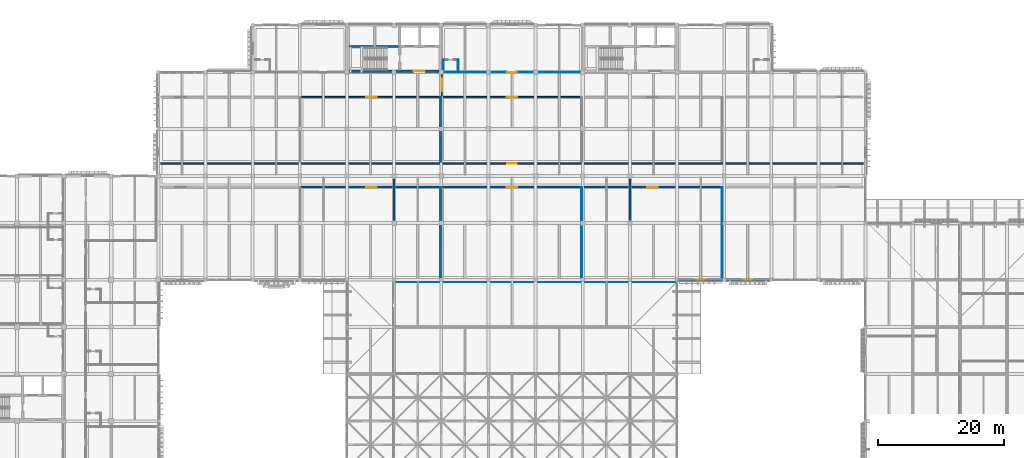
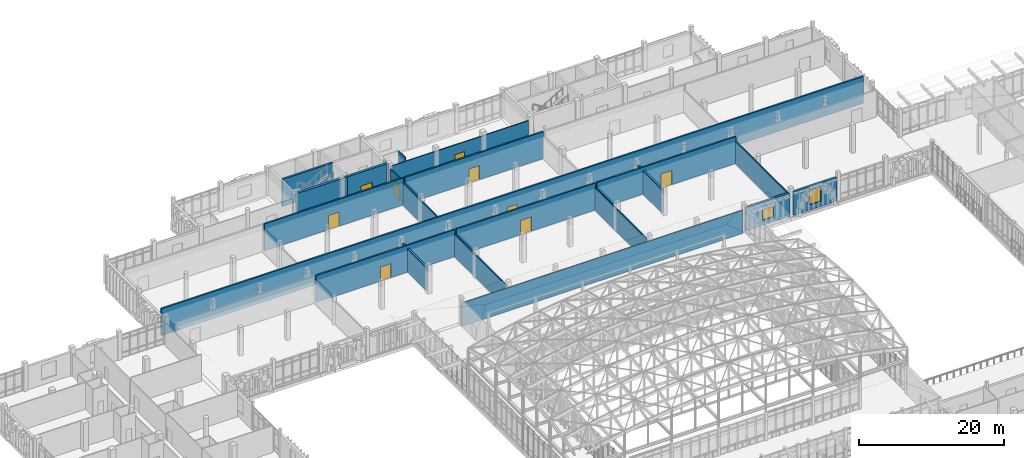
# One storey, part 105 of 131: 22 walls, 9 doors, 2 windows, 11 openings.
"""IFC4 building model written with IfcOpenShell, lengths in metres."""

from ifc_helpers import new_model, si_unit, direction, frame, frame_2d, origin, place, context, subcontext, project, spatial, rectangle, extrude, material, layer, layer_set, type_object, element, fill, save


model = new_model("IFC4")

# Units and contexts
model_context = context("Model", 3, precision=1e-05, world=origin(), true_north=direction((0.0, 1.0)))
body_context = subcontext(model_context, "Body", "Model", "MODEL_VIEW")
ifc_project = project(units=[si_unit("LENGTHUNIT", "METRE"), si_unit("AREAUNIT", "SQUARE_METRE"), si_unit("VOLUMEUNIT", "CUBIC_METRE"), si_unit("PLANEANGLEUNIT", "RADIAN"), si_unit("MASSUNIT", "GRAM", prefix="KILO")], contexts=[model_context])

# Site, building, storey
site_placement = place(None, origin())
site = spatial("IfcSite", under=ifc_project, at=site_placement, CompositionType="ELEMENT")
building_placement = place(site_placement, origin())
building = spatial("IfcBuilding", under=site, at=building_placement, Name="Dalvernix Boulevard General Hospital", CompositionType="ELEMENT")
storey_placement = place(building_placement, frame((0.0, 0.0, 9.300048828125)))
storey = spatial("IfcBuildingStorey", under=building, at=storey_placement, Name="L02", CompositionType="ELEMENT", Elevation=9.300048828125)

# Wall
ifc_material_1 = material(Name="Concrete C40/50", Category="concrete")
ifc_layer_1 = layer(ifc_material_1, 0.39990234375)
ifc_layer_set_1 = layer_set([ifc_layer_1], Name="Concrete C40/50 (WAL-CSW-01)")
wall_type_1 = type_object("IfcWallType", Name="WAL-CSW-01", PredefinedType="SHEAR", material=ifc_layer_set_1)
wall_1_placement = place(storey_placement, frame((60.35009765625, 109.699951171875, 0.0), z_axis=(0.0, 0.0, 1.0), x_axis=(1.0, 0.0, 0.0)))
element("IfcWall", 1, at=wall_1_placement, inside=storey, type_object=wall_type_1, Name="L02 C3 south stairwell wall", PredefinedType="SHEAR", context=body_context, shape_type="SweptSolid", body=[
    extrude(rectangle(XDim=8.0498046875, YDim=0.39990234375, at=frame_2d((4.02490234375, 0.0))), origin(), (0.0, 0.0, 1.0), 4.550048828125),
])

# Wall, opening, door
wall_2_placement = place(storey_placement, frame((68.39990234375, 109.699951171875, 0.0), z_axis=(0.0, 0.0, 1.0), x_axis=(1.0, 0.0, 0.0)))
wall_2 = element("IfcWall", 2, at=wall_2_placement, inside=storey, type_object=wall_type_1, Name="L02 C3 south firefighting lobby wall", PredefinedType="SHEAR", context=body_context, shape_type="SweptSolid", body=[
    extrude(rectangle(XDim=6.25, YDim=0.39990234375, at=frame_2d((3.125, 0.0))), origin(), (0.0, 0.0, 1.0), 4.550048828125),
])
opening_1_placement = place(wall_2_placement, frame((2.199951171875, 0.0, 0.0)))
opening_1 = element("IfcOpeningElement", 3, at=opening_1_placement, cuts=wall_2, Name="Opening FD-01", PredefinedType="OPENING", context=body_context, shape_type="SweptSolid", body=[
    extrude(rectangle(XDim=1.800048828125, YDim=2.25, at=frame_2d((0.89990234375, 1.125))), frame((0.0, 0.2099609375, 0.0), z_axis=(0.0, -1.0, 0.0), x_axis=(1.0, 0.0, 0.0)), (0.0, 0.0, 1.0), 0.419921875),
])
ifc_material_2 = material(Name="Hospital laminate acoustic timber and steel frame", Category="steel")
door_type_1 = type_object("IfcDoorType", Name="DR-FD-01", OperationType="DOUBLE_DOOR_SINGLE_SWING", PredefinedType="DOOR", material=ifc_material_2)
door_1_placement = place(opening_1_placement, origin())
door_1 = element("IfcDoor", 4, at=door_1_placement, inside=storey, type_object=door_type_1, Name="L02 C3 firefighting lobby door", OperationType="DOUBLE_DOOR_SINGLE_SWING", OverallHeight=2.25, OverallWidth=1.800048828125, PredefinedType="DOOR", context=body_context, shape_type="SweptSolid", body=[
    extrude(rectangle(XDim=1.800048828125, YDim=2.25, at=frame_2d((0.89990234375, 1.125))), frame((0.0, 0.02490234375, 0.0), z_axis=(0.0, -1.0, 0.0), x_axis=(1.0, 0.0, 0.0)), (0.0, 0.0, 1.0), 0.050048828125),
])
fill(opening_1, door_1)

# Walls
ifc_layer_2 = layer(ifc_material_1, 0.300048828125)
ifc_layer_set_2 = layer_set([ifc_layer_2], Name="Concrete C40/50 (WAL-CSW-02)")
wall_type_2 = type_object("IfcWallType", Name="WAL-CSW-02", PredefinedType="SHEAR", material=ifc_layer_set_2)
wall_3_placement = place(storey_placement, frame((60.35009765625, 113.60009765625, 0.0), z_axis=(0.0, 0.0, 1.0), x_axis=(1.0, 0.0, 0.0)))
element("IfcWall", 5, at=wall_3_placement, inside=storey, type_object=wall_type_2, Name="L02 C3 riser spine wall", PredefinedType="SHEAR", context=body_context, shape_type="SweptSolid", body=[
    extrude(rectangle(XDim=8.0498046875, YDim=0.300048828125, at=frame_2d((4.02490234375, 0.0))), origin(), (0.0, 0.0, 1.0), 4.550048828125),
])
ifc_layer_3 = layer(ifc_material_1, 0.320068359375)
ifc_layer_set_3 = layer_set([ifc_layer_3], Name="Concrete C40/50 (WAL-ESW-02)")
wall_type_3 = type_object("IfcWallType", Name="WAL-ESW-02", PredefinedType="SHEAR", material=ifc_layer_set_3)
for number, where, z_axis, x_axis, name in (
    (6, (67.5, 85.949951171875, 0.0), (0.0, 0.0, 1.0), (0.0, 1.0, 0.0), "L02 reinforced concrete shear wall 4"),
    (7, (105.0, 85.949951171875, 0.0), (0.0, 0.0, 1.0), (0.0, 1.0, 0.0), "L02 reinforced concrete shear wall 5"),
):
    element("IfcWall", number, at=place(storey_placement, frame(where, z_axis=z_axis, x_axis=x_axis)), inside=storey, type_object=wall_type_3, Name=name, PredefinedType="SHEAR", context=body_context, shape_type="SweptSolid", body=[
        extrude(rectangle(XDim=6.60009765625, YDim=0.320068359375, at=frame_2d((3.300048828125, 0.0))), origin(), (0.0, 0.0, 1.0), 4.0),
    ])

# Wall, opening, window
ifc_material_3 = material(Name="Pressed Catalan clay brick and insulated concrete cavity wall C35/45", Category="masonry")
ifc_layer_4 = layer(ifc_material_3, 0.35009765625)
ifc_layer_set_4 = layer_set([ifc_layer_4], Name="Pressed Catalan clay brick and insulated concrete cavity wall C35/45 (WAL-EW-01)")
wall_type_4 = type_object("IfcWallType", Name="WAL-EW-01", PredefinedType="STANDARD", material=ifc_layer_set_4)
wall_4_placement = place(storey_placement, frame((119.715087890625, 76.5, 0.0), z_axis=(0.0, 0.0, 1.0), x_axis=(-1.0, 0.0, 0.0)))
wall_4 = element("IfcWall", 8, at=wall_4_placement, inside=storey, type_object=wall_type_4, Name="L02 Catalan brick external wall S 15-10", PredefinedType="STANDARD", context=body_context, shape_type="SweptSolid", body=[
    extrude(rectangle(XDim=6.955078125, YDim=0.35009765625, at=frame_2d((3.4775390625, 0.0))), origin(), (0.0, 0.0, 1.0), 3.949951171875),
])
opening_2_placement = place(wall_4_placement, frame((2.577392578125, 0.0, 0.89990234375)))
opening_2 = element("IfcOpeningElement", 9, at=opening_2_placement, cuts=wall_4, Name="Opening WN-16", PredefinedType="OPENING", context=body_context, shape_type="SweptSolid", body=[
    extrude(rectangle(XDim=1.800048828125, YDim=1.800048828125, at=frame_2d((0.89990234375, 0.89990234375))), frame((0.0, 0.18505859375, 0.0), z_axis=(0.0, -1.0, 0.0), x_axis=(1.0, 0.0, 0.0)), (0.0, 0.0, 1.0), 0.3701171875),
])
ifc_material_4 = material(Name="Thermally broken aluminium frame with solar-control double glazing", Category="aluminium")
window_type_1 = type_object("IfcWindowType", Name="WIN-WN-16", PartitioningType="SINGLE_PANEL", PredefinedType="WINDOW", material=ifc_material_4)
window_1_placement = place(opening_2_placement, origin())
window_1 = element("IfcWindow", 10, at=window_1_placement, inside=storey, type_object=window_type_1, Name="L02 clinical window WN-16 S 15-10", OverallHeight=1.800048828125, OverallWidth=1.800048828125, PartitioningType="SINGLE_PANEL", PredefinedType="WINDOW", context=body_context, shape_type="SweptSolid", body=[
    extrude(rectangle(XDim=1.800048828125, YDim=1.800048828125, at=frame_2d((0.89990234375, 0.89990234375))), frame((0.0, 0.030029296875, 0.0), z_axis=(0.0, -1.0, 0.0), x_axis=(1.0, 0.0, 0.0)), (0.0, 0.0, 1.0), 0.06005859375),
])
fill(opening_2, window_1)

wall_5_placement = place(storey_placement, frame((127.239990234375, 76.5, 0.0), z_axis=(0.0, 0.0, 1.0), x_axis=(-1.0, 0.0, 0.0)))
wall_5 = element("IfcWall", 11, at=wall_5_placement, inside=storey, type_object=wall_type_4, Name="L02 Catalan brick external wall S 16-10", PredefinedType="STANDARD", context=body_context, shape_type="SweptSolid", body=[
    extrude(rectangle(XDim=6.955078125, YDim=0.35009765625, at=frame_2d((3.4775390625, 0.0))), origin(), (0.0, 0.0, 1.0), 3.949951171875),
])
opening_3_placement = place(wall_5_placement, frame((2.577392578125, 0.0, 0.89990234375)))
opening_3 = element("IfcOpeningElement", 12, at=opening_3_placement, cuts=wall_5, Name="Opening WN-01", PredefinedType="OPENING", context=body_context, shape_type="SweptSolid", body=[
    extrude(rectangle(XDim=1.800048828125, YDim=2.39990234375, at=frame_2d((0.89990234375, 1.199951171875))), frame((0.0, 0.18505859375, 0.0), z_axis=(0.0, -1.0, 0.0), x_axis=(1.0, 0.0, 0.0)), (0.0, 0.0, 1.0), 0.3701171875),
])
window_type_2 = type_object("IfcWindowType", Name="WIN-WN-01", PartitioningType="SINGLE_PANEL", PredefinedType="WINDOW", material=ifc_material_4)
window_2_placement = place(opening_3_placement, origin())
window_2 = element("IfcWindow", 13, at=window_2_placement, inside=storey, type_object=window_type_2, Name="L02 clinical window WN-01 S 16-10", OverallHeight=2.39990234375, OverallWidth=1.800048828125, PartitioningType="SINGLE_PANEL", PredefinedType="WINDOW", context=body_context, shape_type="SweptSolid", body=[
    extrude(rectangle(XDim=1.800048828125, YDim=2.39990234375, at=frame_2d((0.89990234375, 1.199951171875))), frame((0.0, 0.030029296875, 0.0), z_axis=(0.0, -1.0, 0.0), x_axis=(1.0, 0.0, 0.0)), (0.0, 0.0, 1.0), 0.06005859375),
])
fill(opening_3, window_2)

# Wall, opening, door
ifc_material_5 = material(Name="Acoustic fire-rated masonry clinical wall", Category="masonry")
ifc_layer_5 = layer(ifc_material_5, 0.25)
ifc_layer_set_5 = layer_set([ifc_layer_5], Name="Acoustic fire-rated masonry clinical wall (WAL-IW-01)")
wall_type_5 = type_object("IfcWallType", Name="WAL-IW-01", PredefinedType="STANDARD", material=ifc_layer_set_5)
wall_6_placement = place(storey_placement, frame((142.14990234375, 95.0, 0.0), z_axis=(0.0, 0.0, 1.0), x_axis=(-1.0, 0.0, 0.0)))
wall_6 = element("IfcWall", 14, at=wall_6_placement, inside=storey, type_object=wall_type_5, Name="L02 Sterile Surgical Preparation and Scrub Core corridor wall", PredefinedType="STANDARD", context=body_context, shape_type="SweptSolid", body=[
    extrude(rectangle(XDim=111.7998046875, YDim=0.25, at=frame_2d((55.89990234375, 0.0))), origin(), (0.0, 0.0, 1.0), 4.534912109375),
])
opening_4_placement = place(wall_6_placement, frame((55.14990234375, 0.0, 0.0)))
opening_4 = element("IfcOpeningElement", 15, at=opening_4_placement, cuts=wall_6, Name="Opening ID-14", PredefinedType="OPENING", context=body_context, shape_type="SweptSolid", body=[
    extrude(rectangle(XDim=1.5, YDim=2.300048828125, at=frame_2d((0.75, 1.14990234375))), frame((0.0, 0.135009765625, 0.0), z_axis=(0.0, -1.0, 0.0), x_axis=(1.0, 0.0, 0.0)), (0.0, 0.0, 1.0), 0.27001953125),
])
door_type_2 = type_object("IfcDoorType", Name="DR-ID-14", OperationType="DOUBLE_DOOR_SINGLE_SWING", PredefinedType="DOOR", material=ifc_material_2)
door_2_placement = place(opening_4_placement, origin())
door_2 = element("IfcDoor", 16, at=door_2_placement, inside=storey, type_object=door_type_2, Name="L02 Sterile Surgical Preparation and Scrub Core door", OperationType="DOUBLE_DOOR_SINGLE_SWING", OverallHeight=2.300048828125, OverallWidth=1.5, PredefinedType="DOOR", context=body_context, shape_type="SweptSolid", body=[
    extrude(rectangle(XDim=1.5, YDim=2.300048828125, at=frame_2d((0.75, 1.14990234375))), frame((0.0, 0.02490234375, 0.0), z_axis=(0.0, -1.0, 0.0), x_axis=(1.0, 0.0, 0.0)), (0.0, 0.0, 1.0), 0.050048828125),
])
fill(opening_4, door_2)

wall_7_placement = place(storey_placement, frame((74.949951171875, 105.550048828125, 0.0), z_axis=(0.0, 0.0, 1.0), x_axis=(-1.0, 0.0, 0.0)))
wall_7 = element("IfcWall", 17, at=wall_7_placement, inside=storey, type_object=wall_type_5, Name="L02 Operating Theatre 02 corridor wall", PredefinedType="STANDARD", context=body_context, shape_type="SweptSolid", body=[
    extrude(rectangle(XDim=22.119873046875, YDim=0.25, at=frame_2d((11.06005859375, 0.0))), origin(), (0.0, 0.0, 1.0), 4.534912109375),
])
opening_5_placement = place(wall_7_placement, frame((10.2099609375, 0.0, 0.0)))
opening_5 = element("IfcOpeningElement", 18, at=opening_5_placement, cuts=wall_7, Name="Opening ID-09", PredefinedType="OPENING", context=body_context, shape_type="SweptSolid", body=[
    extrude(rectangle(XDim=1.699951171875, YDim=2.39990234375, at=frame_2d((0.85009765625, 1.199951171875))), frame((0.0, 0.135009765625, 0.0), z_axis=(0.0, -1.0, 0.0), x_axis=(1.0, 0.0, 0.0)), (0.0, 0.0, 1.0), 0.27001953125),
])
ifc_material_6 = material(Name="Stainless-clad steel", Category="steel")
door_type_3 = type_object("IfcDoorType", Name="DR-ID-09", OperationType="DOUBLE_DOOR_SLIDING", PredefinedType="DOOR", material=ifc_material_6)
door_3_placement = place(opening_5_placement, origin())
door_3 = element("IfcDoor", 19, at=door_3_placement, inside=storey, type_object=door_type_3, Name="L02 Operating Theatre 02 door", OperationType="DOUBLE_DOOR_SLIDING", OverallHeight=2.39990234375, OverallWidth=1.699951171875, PredefinedType="DOOR", context=body_context, shape_type="SweptSolid", body=[
    extrude(rectangle(XDim=1.699951171875, YDim=2.39990234375, at=frame_2d((0.85009765625, 1.199951171875))), frame((0.0, 0.02490234375, 0.0), z_axis=(0.0, -1.0, 0.0), x_axis=(1.0, 0.0, 0.0)), (0.0, 0.0, 1.0), 0.050048828125),
])
fill(opening_5, door_3)

wall_8_placement = place(storey_placement, frame((74.949951171875, 91.25, 0.0), z_axis=(0.0, 0.0, 1.0), x_axis=(-1.0, 0.0, 0.0)))
wall_8 = element("IfcWall", 20, at=wall_8_placement, inside=storey, type_object=wall_type_5, Name="L02 Operating Theatre 07 corridor wall", PredefinedType="STANDARD", context=body_context, shape_type="SweptSolid", body=[
    extrude(rectangle(XDim=22.119873046875, YDim=0.25, at=frame_2d((11.06005859375, 0.0))), origin(), (0.0, 0.0, 1.0), 4.534912109375),
])
opening_6_placement = place(wall_8_placement, frame((10.2099609375, 0.0, 0.0)))
opening_6 = element("IfcOpeningElement", 21, at=opening_6_placement, cuts=wall_8, Name="Opening ID-09", PredefinedType="OPENING", context=body_context, shape_type="SweptSolid", body=[
    extrude(rectangle(XDim=1.699951171875, YDim=2.39990234375, at=frame_2d((0.85009765625, 1.199951171875))), frame((0.0, 0.135009765625, 0.0), z_axis=(0.0, -1.0, 0.0), x_axis=(1.0, 0.0, 0.0)), (0.0, 0.0, 1.0), 0.27001953125),
])
door_4_placement = place(opening_6_placement, origin())
door_4 = element("IfcDoor", 22, at=door_4_placement, inside=storey, type_object=door_type_3, Name="L02 Operating Theatre 07 door", OperationType="DOUBLE_DOOR_SLIDING", OverallHeight=2.39990234375, OverallWidth=1.699951171875, PredefinedType="DOOR", context=body_context, shape_type="SweptSolid", body=[
    extrude(rectangle(XDim=1.699951171875, YDim=2.39990234375, at=frame_2d((0.85009765625, 1.199951171875))), frame((0.0, 0.02490234375, 0.0), z_axis=(0.0, -1.0, 0.0), x_axis=(1.0, 0.0, 0.0)), (0.0, 0.0, 1.0), 0.050048828125),
])
fill(opening_6, door_4)

wall_9_placement = place(storey_placement, frame((97.31005859375, 105.550048828125, 0.0), z_axis=(0.0, 0.0, 1.0), x_axis=(-1.0, 0.0, 0.0)))
wall_9 = element("IfcWall", 23, at=wall_9_placement, inside=storey, type_object=wall_type_5, Name="L02 Operating Theatre 03 corridor wall", PredefinedType="STANDARD", context=body_context, shape_type="SweptSolid", body=[
    extrude(rectangle(XDim=22.1201171875, YDim=0.25, at=frame_2d((11.06005859375, 0.0))), origin(), (0.0, 0.0, 1.0), 4.534912109375),
])
opening_7_placement = place(wall_9_placement, frame((10.2099609375, 0.0, 0.0)))
opening_7 = element("IfcOpeningElement", 24, at=opening_7_placement, cuts=wall_9, Name="Opening ID-09", PredefinedType="OPENING", context=body_context, shape_type="SweptSolid", body=[
    extrude(rectangle(XDim=1.699951171875, YDim=2.39990234375, at=frame_2d((0.85009765625, 1.199951171875))), frame((0.0, 0.135009765625, 0.0), z_axis=(0.0, -1.0, 0.0), x_axis=(1.0, 0.0, 0.0)), (0.0, 0.0, 1.0), 0.27001953125),
])
door_5_placement = place(opening_7_placement, origin())
door_5 = element("IfcDoor", 25, at=door_5_placement, inside=storey, type_object=door_type_3, Name="L02 Operating Theatre 03 door", OperationType="DOUBLE_DOOR_SLIDING", OverallHeight=2.39990234375, OverallWidth=1.699951171875, PredefinedType="DOOR", context=body_context, shape_type="SweptSolid", body=[
    extrude(rectangle(XDim=1.699951171875, YDim=2.39990234375, at=frame_2d((0.85009765625, 1.199951171875))), frame((0.0, 0.02490234375, 0.0), z_axis=(0.0, -1.0, 0.0), x_axis=(1.0, 0.0, 0.0)), (0.0, 0.0, 1.0), 0.050048828125),
])
fill(opening_7, door_5)

wall_10_placement = place(storey_placement, frame((97.31005859375, 91.25, 0.0), z_axis=(0.0, 0.0, 1.0), x_axis=(-1.0, 0.0, 0.0)))
wall_10 = element("IfcWall", 26, at=wall_10_placement, inside=storey, type_object=wall_type_5, Name="L02 Operating Theatre 08 corridor wall", PredefinedType="STANDARD", context=body_context, shape_type="SweptSolid", body=[
    extrude(rectangle(XDim=22.1201171875, YDim=0.25, at=frame_2d((11.06005859375, 0.0))), origin(), (0.0, 0.0, 1.0), 4.534912109375),
])
opening_8_placement = place(wall_10_placement, frame((10.2099609375, 0.0, 0.0)))
opening_8 = element("IfcOpeningElement", 27, at=opening_8_placement, cuts=wall_10, Name="Opening ID-09", PredefinedType="OPENING", context=body_context, shape_type="SweptSolid", body=[
    extrude(rectangle(XDim=1.699951171875, YDim=2.39990234375, at=frame_2d((0.85009765625, 1.199951171875))), frame((0.0, 0.135009765625, 0.0), z_axis=(0.0, -1.0, 0.0), x_axis=(1.0, 0.0, 0.0)), (0.0, 0.0, 1.0), 0.27001953125),
])
door_6_placement = place(opening_8_placement, origin())
door_6 = element("IfcDoor", 28, at=door_6_placement, inside=storey, type_object=door_type_3, Name="L02 Operating Theatre 08 door", OperationType="DOUBLE_DOOR_SLIDING", OverallHeight=2.39990234375, OverallWidth=1.699951171875, PredefinedType="DOOR", context=body_context, shape_type="SweptSolid", body=[
    extrude(rectangle(XDim=1.699951171875, YDim=2.39990234375, at=frame_2d((0.85009765625, 1.199951171875))), frame((0.0, 0.02490234375, 0.0), z_axis=(0.0, -1.0, 0.0), x_axis=(1.0, 0.0, 0.0)), (0.0, 0.0, 1.0), 0.050048828125),
])
fill(opening_8, door_6)

wall_11_placement = place(storey_placement, frame((119.669921875, 91.25, 0.0), z_axis=(0.0, 0.0, 1.0), x_axis=(-1.0, 0.0, 0.0)))
wall_11 = element("IfcWall", 29, at=wall_11_placement, inside=storey, type_object=wall_type_5, Name="L02 Operating Theatre 09 corridor wall", PredefinedType="STANDARD", context=body_context, shape_type="SweptSolid", body=[
    extrude(rectangle(XDim=22.119873046875, YDim=0.25, at=frame_2d((11.06005859375, 0.0))), origin(), (0.0, 0.0, 1.0), 4.534912109375),
])
opening_9_placement = place(wall_11_placement, frame((10.2099609375, 0.0, 0.0)))
opening_9 = element("IfcOpeningElement", 30, at=opening_9_placement, cuts=wall_11, Name="Opening ID-09", PredefinedType="OPENING", context=body_context, shape_type="SweptSolid", body=[
    extrude(rectangle(XDim=1.699951171875, YDim=2.39990234375, at=frame_2d((0.85009765625, 1.199951171875))), frame((0.0, 0.135009765625, 0.0), z_axis=(0.0, -1.0, 0.0), x_axis=(1.0, 0.0, 0.0)), (0.0, 0.0, 1.0), 0.27001953125),
])
door_7_placement = place(opening_9_placement, origin())
door_7 = element("IfcDoor", 31, at=door_7_placement, inside=storey, type_object=door_type_3, Name="L02 Operating Theatre 09 door", OperationType="DOUBLE_DOOR_SLIDING", OverallHeight=2.39990234375, OverallWidth=1.699951171875, PredefinedType="DOOR", context=body_context, shape_type="SweptSolid", body=[
    extrude(rectangle(XDim=1.699951171875, YDim=2.39990234375, at=frame_2d((0.85009765625, 1.199951171875))), frame((0.0, 0.02490234375, 0.0), z_axis=(0.0, -1.0, 0.0), x_axis=(1.0, 0.0, 0.0)), (0.0, 0.0, 1.0), 0.050048828125),
])
fill(opening_9, door_7)

ifc_material_7 = material(Name="Fire-compartment corridor masonry wall", Category="masonry")
ifc_layer_6 = layer(ifc_material_7, 0.199951171875)
ifc_layer_set_6 = layer_set([ifc_layer_6], Name="Fire-compartment corridor masonry wall (WAL-IW-02)")
wall_type_6 = type_object("IfcWallType", Name="WAL-IW-02", PredefinedType="STANDARD", material=ifc_layer_set_6)
wall_12_placement = place(storey_placement, frame((75.070068359375, 105.800048828125, 0.0), z_axis=(0.0, 0.0, 1.0), x_axis=(0.0, 1.0, 0.0)))
wall_12 = element("IfcWall", 32, at=wall_12_placement, inside=storey, type_object=wall_type_6, Name="L02 horizontal progressive evacuation compartment wall 7", PredefinedType="STANDARD", context=body_context, shape_type="SweptSolid", body=[
    extrude(rectangle(XDim=3.300048828125, YDim=0.199951171875, at=frame_2d((1.64990234375, 0.0))), origin(), (0.0, 0.0, 1.0), 3.8349609375),
])
opening_10_placement = place(wall_12_placement, frame((0.64990234375, 0.0, 0.0)))
opening_10 = element("IfcOpeningElement", 33, at=opening_10_placement, cuts=wall_12, Name="Opening FD-03", PredefinedType="OPENING", context=body_context, shape_type="SweptSolid", body=[
    extrude(rectangle(XDim=2.0, YDim=2.300048828125, at=frame_2d((1.0, 1.14990234375))), frame((0.0, 0.10986328125, 0.0), z_axis=(0.0, -1.0, 0.0), x_axis=(1.0, 0.0, 0.0)), (0.0, 0.0, 1.0), 0.219970703125),
])
door_type_4 = type_object("IfcDoorType", Name="DR-FD-03", OperationType="DOUBLE_DOOR_SINGLE_SWING", PredefinedType="DOOR", material=ifc_material_2)
door_8_placement = place(opening_10_placement, origin())
door_8 = element("IfcDoor", 34, at=door_8_placement, inside=storey, type_object=door_type_4, Name="L02 horizontal compartment hold-open fire door 7", OperationType="DOUBLE_DOOR_SINGLE_SWING", OverallHeight=2.300048828125, OverallWidth=2.0, PredefinedType="DOOR", context=body_context, shape_type="SweptSolid", body=[
    extrude(rectangle(XDim=2.0, YDim=2.300048828125, at=frame_2d((1.0, 1.14990234375))), frame((0.0, 0.02490234375, 0.0), z_axis=(0.0, -1.0, 0.0), x_axis=(1.0, 0.0, 0.0)), (0.0, 0.0, 1.0), 0.050048828125),
])
fill(opening_10, door_8)

ifc_material_8 = material(Name="Acoustic double-stud gypsum inpatient partition")
ifc_layer_7 = layer(ifc_material_8, 0.14990234375)
ifc_layer_set_7 = layer_set([ifc_layer_7], Name="Acoustic double-stud gypsum inpatient partition (WAL-IW-04)")
wall_type_7 = type_object("IfcWallType", Name="WAL-IW-04", PredefinedType="PARTITIONING", material=ifc_layer_set_7)
wall_13_placement = place(storey_placement, frame((75.300048828125, 109.5, 0.0), z_axis=(0.0, 0.0, 1.0), x_axis=(1.0, 0.0, 0.0)))
wall_13 = element("IfcWall", 35, at=wall_13_placement, inside=storey, type_object=wall_type_7, Name="L02 Surgical Intensive Care Unit (ICU) Central corridor wall", PredefinedType="PARTITIONING", context=body_context, shape_type="SweptSolid", body=[
    extrude(rectangle(XDim=21.89990234375, YDim=0.14990234375, at=frame_2d((10.949951171875, 0.0))), origin(), (0.0, 0.0, 1.0), 3.98486328125),
])
opening_11_placement = place(wall_13_placement, frame((10.175048828125, 0.0, 0.0)))
opening_11 = element("IfcOpeningElement", 36, at=opening_11_placement, cuts=wall_13, Name="Opening ID-11", PredefinedType="OPENING", context=body_context, shape_type="SweptSolid", body=[
    extrude(rectangle(XDim=1.550048828125, YDim=2.35009765625, at=frame_2d((0.77490234375, 1.175048828125))), frame((0.0, 0.0849609375, 0.0), z_axis=(0.0, -1.0, 0.0), x_axis=(1.0, 0.0, 0.0)), (0.0, 0.0, 1.0), 0.169921875),
])
door_type_5 = type_object("IfcDoorType", Name="DR-ID-11", OperationType="DOUBLE_DOOR_SINGLE_SWING", PredefinedType="DOOR", material=ifc_material_2)
door_9_placement = place(opening_11_placement, origin())
door_9 = element("IfcDoor", 37, at=door_9_placement, inside=storey, type_object=door_type_5, Name="L02 Surgical Intensive Care Unit (ICU) Central door", OperationType="DOUBLE_DOOR_SINGLE_SWING", OverallHeight=2.35009765625, OverallWidth=1.550048828125, PredefinedType="DOOR", context=body_context, shape_type="SweptSolid", body=[
    extrude(rectangle(XDim=1.550048828125, YDim=2.35009765625, at=frame_2d((0.77490234375, 1.175048828125))), frame((0.0, 0.02490234375, 0.0), z_axis=(0.0, -1.0, 0.0), x_axis=(1.0, 0.0, 0.0)), (0.0, 0.0, 1.0), 0.050048828125),
])
fill(opening_11, door_9)

# Walls
wall_14_placement = place(storey_placement, frame((67.39990234375, 76.14990234375, 0.0), z_axis=(0.0, 0.0, 1.0), x_axis=(1.0, 0.0, 0.0)))
element("IfcWall", 38, at=wall_14_placement, inside=storey, type_object=wall_type_7, Name="L02 Surgical Staff Support and Conference Suite partition", PredefinedType="PARTITIONING", context=body_context, shape_type="SweptSolid", body=[
    extrude(rectangle(XDim=44.75, YDim=0.14990234375, at=frame_2d((22.375, 0.0))), origin(), (0.0, 0.0, 1.0), 3.93505859375),
])
wall_15_placement = place(storey_placement, frame((74.949951171875, 95.25, 0.0), z_axis=(0.0, 0.0, 1.0), x_axis=(0.0, 1.0, 0.0)))
element("IfcWall", 39, at=wall_15_placement, inside=storey, type_object=wall_type_7, Name="L02 Operating Theatre 02 partition", PredefinedType="PARTITIONING", context=body_context, shape_type="SweptSolid", body=[
    extrude(rectangle(XDim=10.300048828125, YDim=0.14990234375, at=frame_2d((5.14990234375, 0.0))), origin(), (0.0, 0.0, 1.0), 3.8349609375),
])
for number, where, z_axis, x_axis, name in (
    (40, (74.949951171875, 76.85009765625, 0.0), (0.0, 0.0, 1.0), (0.0, 1.0, 0.0), "L02 Operating Theatre 07 partition"),
    (41, (97.31005859375, 76.85009765625, 0.0), (0.0, 0.0, 1.0), (0.0, 1.0, 0.0), "L02 Operating Theatre 08 partition"),
    (42, (119.669921875, 76.85009765625, 0.0), (0.0, 0.0, 1.0), (0.0, 1.0, 0.0), "L02 Operating Theatre 09 partition"),
):
    element("IfcWall", number, at=place(storey_placement, frame(where, z_axis=z_axis, x_axis=x_axis)), inside=storey, type_object=wall_type_7, Name=name, PredefinedType="PARTITIONING", context=body_context, shape_type="SweptSolid", body=[
        extrude(rectangle(XDim=14.39990234375, YDim=0.14990234375, at=frame_2d((7.199951171875, 0.0))), origin(), (0.0, 0.0, 1.0), 3.8349609375),
    ])
ifc_material_9 = material(Name="Moisture-resistant en-suite bathroom partition")
ifc_layer_8 = layer(ifc_material_9, 0.1201171875)
ifc_layer_set_8 = layer_set([ifc_layer_8], Name="Moisture-resistant en-suite bathroom partition (WAL-IW-05)")
wall_type_8 = type_object("IfcWallType", Name="WAL-IW-05", PredefinedType="PARTITIONING", material=ifc_layer_set_8)
wall_16_placement = place(storey_placement, frame((77.699951171875, 109.5, 0.0), z_axis=(0.0, 0.0, 1.0), x_axis=(0.0, 1.0, 0.0)))
element("IfcWall", 43, at=wall_16_placement, inside=storey, type_object=wall_type_8, Name="L02 en-suite bathroom side wall", PredefinedType="PARTITIONING", context=body_context, shape_type="SweptSolid", body=[
    extrude(rectangle(XDim=2.0, YDim=0.1201171875, at=frame_2d((1.0, 0.0))), origin(), (0.0, 0.0, 1.0), 4.534912109375),
])
wall_17_placement = place(storey_placement, frame((75.300048828125, 109.949951171875, 0.0), z_axis=(0.0, 0.0, 1.0), x_axis=(0.0, 1.0, 0.0)))
element("IfcWall", 44, at=wall_17_placement, inside=storey, type_object=wall_type_8, Name="L02 En-suite Bathroom ICU-02 enclosure wall W", PredefinedType="PARTITIONING", context=body_context, shape_type="SweptSolid", body=[
    extrude(rectangle(XDim=1.550048828125, YDim=0.1201171875, at=frame_2d((0.77490234375, 0.0))), origin(), (0.0, 0.0, 1.0), 3.98486328125),
])

save(model, "model.ifc")
